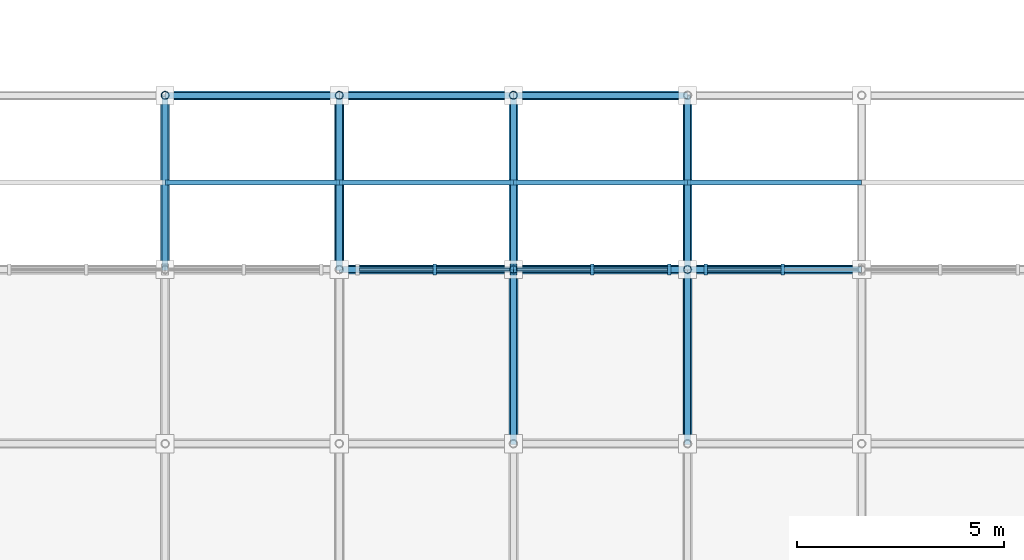
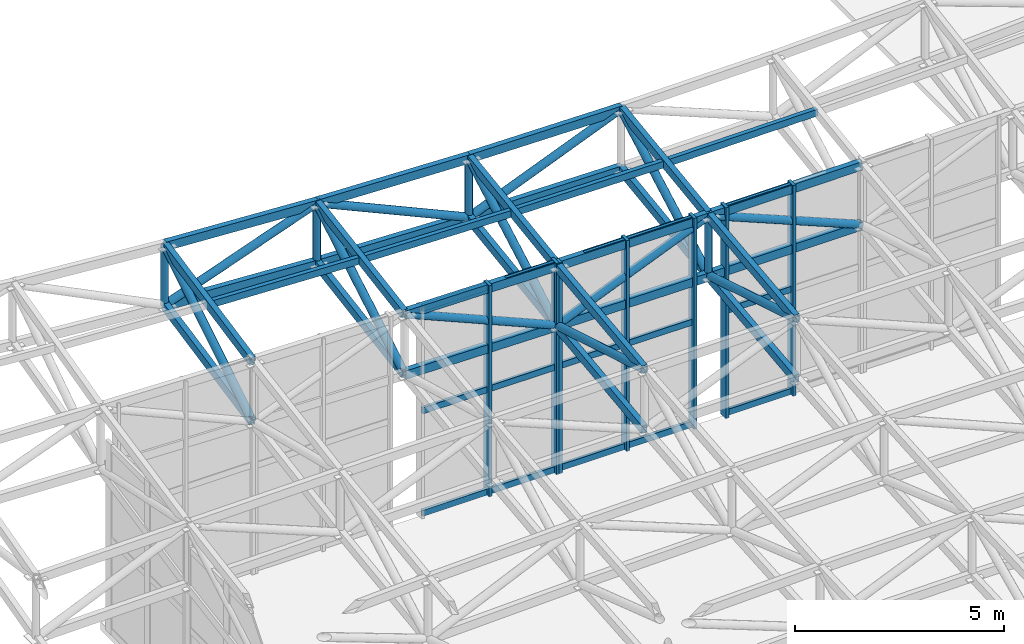
# One storey, part 32 of 132: 67 members, 3 elements without a shape of their own.
"""IFC4 building model written with IfcOpenShell, lengths in metres."""

import ifcopenshell
import ifcopenshell.guid

model = None  # the IFC model being written
_history = None  # IfcOwnerHistory: only IFC2X3 demands one
_inside = {}  # id of a spatial element -> (the spatial element, [elements in it])
_under = {}  # id of a project, library or spatial element -> (it, [spatial elements below it])
_declared = {}  # id of a project -> (the project, [libraries it declares])
_typed = {}  # id of a type object -> (the type object, [elements of that type])
_made_of = {}  # id of a material, layer set ... -> (it, [elements and type objects made of it])


def new_model(schema):
    """Start an empty IFC model of exactly this schema.

    Asked for "IFC4X3", IfcOpenShell would pick the latest addendum, in which some entities
    have other attributes; the version numbers below select the first issue.
    IFC2X3 requires an IfcOwnerHistory on every rooted entity: one is made here for all.
    """
    global model, _history
    if schema == "IFC4X3":
        model = ifcopenshell.file(schema_version=(4, 3, 0, 0))
    else:
        model = ifcopenshell.file(schema=schema)
    _inside.clear()
    _under.clear()
    _declared.clear()
    _typed.clear()
    _made_of.clear()
    _history = None
    if model.schema == "IFC2X3":
        org = make("IfcOrganization", Name="unknown")
        user = make(
            "IfcPersonAndOrganization",
            ThePerson=make("IfcPerson", FamilyName="unknown"),
            TheOrganization=org,
        )
        app = make(
            "IfcApplication",
            ApplicationDeveloper=org,
            Version="unknown",
            ApplicationFullName="unknown",
            ApplicationIdentifier="unknown",
        )
        _history = make(
            "IfcOwnerHistory",
            OwningUser=user,
            OwningApplication=app,
            ChangeAction="ADDED",
            CreationDate=0,
        )
    return model


def make(cls, **values):
    """One entity of the class cls with the attributes given. An attribute that is None is left unset."""
    return model.create_entity(
        cls, **{name: value for name, value in values.items() if value is not None}
    )


def rooted(cls, **values):
    """An entity with a GlobalId (a new one), such as an element, a storey or a relation."""
    return make(cls, GlobalId=ifcopenshell.guid.new(), OwnerHistory=_history, **values)


def si_unit(unit_type, name, prefix=None):
    """IfcSIUnit, for example si_unit("LENGTHUNIT", "METRE", prefix="MILLI")."""
    return make("IfcSIUnit", UnitType=unit_type, Prefix=prefix, Name=name)


def assignment(units):
    """IfcUnitAssignment: the units of a project."""
    return None if units is None else make("IfcUnitAssignment", Units=units)


def point(xyz):
    """IfcCartesianPoint."""
    return None if xyz is None else make("IfcCartesianPoint", Coordinates=xyz)


def direction(xyz):
    """IfcDirection."""
    return None if xyz is None else make("IfcDirection", DirectionRatios=xyz)


def frame(location, z_axis=None, x_axis=None):
    """IfcAxis2Placement3D, a coordinate frame: its origin and axes. An axis left out is left unset."""
    return make(
        "IfcAxis2Placement3D",
        Location=point(location),
        Axis=direction(z_axis),
        RefDirection=direction(x_axis),
    )


def frame_2d(location, x_axis=None):
    """IfcAxis2Placement2D, a coordinate frame in the plane: its origin and x axis."""
    return make(
        "IfcAxis2Placement2D", Location=point(location), RefDirection=direction(x_axis)
    )


def origin():
    """The frame at (0, 0, 0) with its axes left unset."""
    return frame((0.0, 0.0, 0.0))


def origin_2d():
    """The frame at (0, 0) in the plane with its x axis left unset."""
    return frame_2d((0.0, 0.0))


def place(relative_to, where):
    """IfcLocalPlacement: puts the frame where relative to a parent placement (None: the world)."""
    return make(
        "IfcLocalPlacement", PlacementRelTo=relative_to, RelativePlacement=where
    )


def context(
    kind, dimensions, precision=None, world=None, true_north=None, identifier=None
):
    """IfcGeometricRepresentationContext, for example the 3D "Model" context."""
    return make(
        "IfcGeometricRepresentationContext",
        ContextIdentifier=identifier,
        ContextType=kind,
        CoordinateSpaceDimension=dimensions,
        Precision=precision,
        WorldCoordinateSystem=world,
        TrueNorth=true_north,
    )


def subcontext(parent, identifier, kind, view, scale=None):
    """IfcGeometricRepresentationSubContext, for example "Body" below "Model"."""
    return make(
        "IfcGeometricRepresentationSubContext",
        ContextIdentifier=identifier,
        ContextType=kind,
        ParentContext=parent,
        TargetScale=scale,
        TargetView=view,
    )


def project(units=None, contexts=None):
    """IfcProject with its units and contexts."""
    return rooted(
        "IfcProject",
        Name="project",
        RepresentationContexts=contexts,
        UnitsInContext=assignment(units),
    )


def spatial(cls, under=None, at=None, **own):
    """A site, building, storey or space (cls), placed at a placement, below another one or the project."""
    s = rooted(cls, ObjectPlacement=at, **own)
    if under is not None:
        _under.setdefault(under.id(), (under, []))[1].append(s)
    return s


def profile(cls, at=None, kind="AREA", **sizes):
    """A parametric profile (cls). Its sizes go by their IFC names, for example OverallWidth=200.0."""
    return make(cls, ProfileType=kind, Position=at, **sizes)


def rectangle(**sizes):
    """IfcRectangleProfileDef."""
    return profile("IfcRectangleProfileDef", **sizes)


def hollow_rectangle(**sizes):
    """IfcRectangleHollowProfileDef."""
    return profile("IfcRectangleHollowProfileDef", **sizes)


def hollow_circle(**sizes):
    """IfcCircleHollowProfileDef."""
    return profile("IfcCircleHollowProfileDef", **sizes)


def extrude(swept, where, along, depth):
    """IfcExtrudedAreaSolid: the profile swept, set in the frame where, extruded along a direction by depth."""
    return make(
        "IfcExtrudedAreaSolid",
        SweptArea=swept,
        Position=where,
        ExtrudedDirection=direction(along),
        Depth=depth,
    )


def shape(context_of_items, identifier, shape_type, items):
    """IfcShapeRepresentation: the items that make up one representation, for example the "Body"."""
    return make(
        "IfcShapeRepresentation",
        ContextOfItems=context_of_items,
        RepresentationIdentifier=identifier,
        RepresentationType=shape_type,
        Items=items,
    )


def material(Name=None, Category=None):
    """IfcMaterial."""
    return make("IfcMaterial", Name=Name, Category=Category)


def material_profile(
    of_material, cross_section, Name=None, Category=None, Priority=None
):
    """IfcMaterialProfile: a cross section and its material."""
    return make(
        "IfcMaterialProfile",
        Name=Name,
        Material=of_material,
        Profile=cross_section,
        Priority=Priority,
        Category=Category,
    )


def profile_set(profiles, Name=None, composite=None):
    """IfcMaterialProfileSet."""
    return make(
        "IfcMaterialProfileSet",
        Name=Name,
        MaterialProfiles=profiles,
        CompositeProfile=composite,
    )


def made_of(thing, what):
    """Note that an element or type object is made of a material, layer set ...; save() writes the relation."""
    if what is not None:
        _made_of.setdefault(what.id(), (what, []))[1].append(thing)
    return thing


def type_object(cls, material=None, **own):
    """A type object (cls), such as IfcWallType, which elements share."""
    return made_of(rooted(cls, **own), material)


def element(
    cls,
    number,
    at=None,
    inside=None,
    cuts=None,
    type_object=None,
    material=None,
    context=None,
    identifier="Body",
    shape_type=None,
    held_by="IfcProductDefinitionShape",
    body=None,
    shapes=None,
    **own,
):
    """One element of the class cls, such as IfcWall. Its Tag is "e" and its number.

    at: its placement. inside: the storey or other place that contains it. cuts: it is an
    opening in that element (IfcRelVoidsElement). A single representation is given by context,
    identifier, shape_type and body (its items); several are given by shapes. held_by: the class
    of the entity that holds the representations. save() writes the other relations.
    """
    e = rooted(cls, Tag="e%d" % number, ObjectPlacement=at, **own)
    if body is not None:
        shapes = [shape(context, identifier, shape_type, body)]
    if shapes is not None:
        e.Representation = make(held_by, Representations=shapes)
    if inside is not None:
        _inside.setdefault(inside.id(), (inside, []))[1].append(e)
    if cuts is not None:
        rooted(
            "IfcRelVoidsElement", RelatingBuildingElement=cuts, RelatedOpeningElement=e
        )
    if type_object is not None:
        _typed.setdefault(type_object.id(), (type_object, []))[1].append(e)
    return made_of(e, material)


def aggregate(whole, parts):
    """IfcRelAggregates: a whole, such as a stair, and the parts it consists of."""
    return rooted("IfcRelAggregates", RelatingObject=whole, RelatedObjects=parts)


def save(model, path):
    """Write the relations noted so far, then the file.

    IfcRelAggregates (storeys below a building ...), IfcRelContainedInSpatialStructure (elements
    in a storey), IfcRelDefinesByType, IfcRelAssociatesMaterial and IfcRelDeclares: one each for
    every whole, place, type object, material and project.
    """
    for whole, parts in _under.values():
        aggregate(whole, parts)
    for where, things in _inside.values():
        rooted(
            "IfcRelContainedInSpatialStructure",
            RelatedElements=things,
            RelatingStructure=where,
        )
    for kind, things in _typed.values():
        rooted("IfcRelDefinesByType", RelatedObjects=things, RelatingType=kind)
    for what, things in _made_of.values():
        rooted("IfcRelAssociatesMaterial", RelatedObjects=things, RelatingMaterial=what)
    for by, libraries in _declared.values():
        rooted("IfcRelDeclares", RelatingContext=by, RelatedDefinitions=libraries)
    model.write(path)


model = new_model("IFC4")

# Units and contexts
model_context = context("Model", 3, precision=1e-05, world=origin(), true_north=direction((0.0, 1.0)))
body_context = subcontext(model_context, "Body", "Model", "MODEL_VIEW")
ifc_project = project(units=[si_unit("LENGTHUNIT", "METRE"), si_unit("AREAUNIT", "SQUARE_METRE"), si_unit("VOLUMEUNIT", "CUBIC_METRE"), si_unit("PLANEANGLEUNIT", "RADIAN"), si_unit("MASSUNIT", "GRAM", prefix="KILO")], contexts=[model_context])

# Site, building, storey
site_placement = place(None, origin())
site = spatial("IfcSite", under=ifc_project, at=site_placement, CompositionType="ELEMENT")
building_placement = place(site_placement, origin())
building = spatial("IfcBuilding", under=site, at=building_placement, Name="Cumbredor Promenade Congress Hotel", CompositionType="ELEMENT")
storey_placement = place(building_placement, frame((0.0, 0.0, 7.56005859375)))
storey = spatial("IfcBuildingStorey", under=building, at=storey_placement, Name="L02", CompositionType="ELEMENT", Elevation=7.56005859375)

# Curtain wall, members
ifc_material_1 = material(Name="Thermally broken anodized aluminium and low-E glass", Category="aluminium")
curtain_wall_type = type_object("IfcCurtainWallType", Name="Stepped Pavilion Clerestory Curtain Wall CW-06", PredefinedType="NOTDEFINED", material=ifc_material_1)
curtain_wall_1_placement = place(storey_placement, origin())
curtain_wall_1 = element("IfcCurtainWall", 1, at=curtain_wall_1_placement, inside=storey, type_object=curtain_wall_type, Name="Thermal Spa and Hydrotherapy Pavilion N Glazed Clerestory 3", PredefinedType="NOTDEFINED")
ifc_material_2 = material(Name="Thermally broken anodized aluminium", Category="aluminium")
ifc_material_profile_1 = material_profile(ifc_material_2, rectangle(XDim=0.0849609375, YDim=0.260009765625, at=origin_2d()), Name="ALU MULLION CLERESTORY 85x260")
ifc_profile_set_1 = profile_set([ifc_material_profile_1], Name="Thermally broken anodized aluminium")
member_type_1 = type_object("IfcMemberType", Name="Curtain Wall Mullion ML-04", PredefinedType="MULLION", material=ifc_profile_set_1)
member_1_placement = place(storey_placement, frame((86.300048828125, 50.39990234375, -0.01806640625), z_axis=(0.0, 0.0, 1.0), x_axis=(1.0, 0.0, 0.0)))
member_1 = element("IfcMember", 2, at=member_1_placement, type_object=member_type_1, Name="Thermal Spa and Hydrotherapy Pavilion N Glazed Clerestory 3 Mullion 2", PredefinedType="MULLION", context=body_context, shape_type="SweptSolid", body=[
    extrude(rectangle(XDim=0.0849609375, YDim=0.260009765625, at=origin_2d()), origin(), (0.0, 0.0, 1.0), 6.177001953125),
])
member_2_placement = place(storey_placement, frame((88.159912109375, 50.39990234375, -0.01806640625), z_axis=(0.0, 0.0, 1.0), x_axis=(1.0, 0.0, 0.0)))
member_2 = element("IfcMember", 3, at=member_2_placement, type_object=member_type_1, Name="Thermal Spa and Hydrotherapy Pavilion N Glazed Clerestory 3 Mullion 3", PredefinedType="MULLION", context=body_context, shape_type="SweptSolid", body=[
    extrude(rectangle(XDim=0.0849609375, YDim=0.260009765625, at=origin_2d()), origin(), (0.0, 0.0, 1.0), 6.177001953125),
])

curtain_wall_2_placement = place(storey_placement, origin())
curtain_wall_2 = element("IfcCurtainWall", 4, at=curtain_wall_2_placement, inside=storey, type_object=curtain_wall_type, Name="Thermal Spa and Hydrotherapy Pavilion N Glazed Clerestory 4", PredefinedType="NOTDEFINED")
member_3_placement = place(storey_placement, frame((88.239990234375, 50.39990234375, -0.01806640625), z_axis=(0.0, 0.0, 1.0), x_axis=(1.0, 0.0, 0.0)))
member_3 = element("IfcMember", 5, at=member_3_placement, type_object=member_type_1, Name="Thermal Spa and Hydrotherapy Pavilion N Glazed Clerestory 4 Mullion 1", PredefinedType="MULLION", context=body_context, shape_type="SweptSolid", body=[
    extrude(rectangle(XDim=0.0849609375, YDim=0.260009765625, at=origin_2d()), origin(), (0.0, 0.0, 1.0), 6.160400390625),
])
member_4_placement = place(storey_placement, frame((90.10009765625, 50.39990234375, -0.01806640625), z_axis=(0.0, 0.0, 1.0), x_axis=(1.0, 0.0, 0.0)))
member_4 = element("IfcMember", 6, at=member_4_placement, type_object=member_type_1, Name="Thermal Spa and Hydrotherapy Pavilion N Glazed Clerestory 4 Mullion 2", PredefinedType="MULLION", context=body_context, shape_type="SweptSolid", body=[
    extrude(rectangle(XDim=0.0849609375, YDim=0.260009765625, at=origin_2d()), origin(), (0.0, 0.0, 1.0), 6.160400390625),
])
member_5_placement = place(storey_placement, frame((91.9599609375, 50.39990234375, -0.01806640625), z_axis=(0.0, 0.0, 1.0), x_axis=(1.0, 0.0, 0.0)))
member_5 = element("IfcMember", 7, at=member_5_placement, type_object=member_type_1, Name="Thermal Spa and Hydrotherapy Pavilion N Glazed Clerestory 4 Mullion 3", PredefinedType="MULLION", context=body_context, shape_type="SweptSolid", body=[
    extrude(rectangle(XDim=0.0849609375, YDim=0.260009765625, at=origin_2d()), origin(), (0.0, 0.0, 1.0), 6.160400390625),
])

curtain_wall_3_placement = place(storey_placement, origin())
curtain_wall_3 = element("IfcCurtainWall", 8, at=curtain_wall_3_placement, inside=storey, type_object=curtain_wall_type, Name="Thermal Spa and Hydrotherapy Pavilion N Glazed Clerestory 5", PredefinedType="NOTDEFINED")
member_6_placement = place(storey_placement, frame((92.840087890625, 50.39990234375, -0.01806640625), z_axis=(0.0, 0.0, 1.0), x_axis=(1.0, 0.0, 0.0)))
member_6 = element("IfcMember", 9, at=member_6_placement, type_object=member_type_1, Name="Thermal Spa and Hydrotherapy Pavilion N Glazed Clerestory 5 Mullion 1", PredefinedType="MULLION", context=body_context, shape_type="SweptSolid", body=[
    extrude(rectangle(XDim=0.0849609375, YDim=0.260009765625, at=origin_2d()), origin(), (0.0, 0.0, 1.0), 6.160400390625),
])
member_7_placement = place(storey_placement, frame((94.699951171875, 50.39990234375, -0.01806640625), z_axis=(0.0, 0.0, 1.0), x_axis=(1.0, 0.0, 0.0)))
member_7 = element("IfcMember", 10, at=member_7_placement, type_object=member_type_1, Name="Thermal Spa and Hydrotherapy Pavilion N Glazed Clerestory 5 Mullion 2", PredefinedType="MULLION", context=body_context, shape_type="SweptSolid", body=[
    extrude(rectangle(XDim=0.0849609375, YDim=0.260009765625, at=origin_2d()), origin(), (0.0, 0.0, 1.0), 6.160400390625),
])

# Member
ifc_material_profile_2 = material_profile(ifc_material_2, rectangle(XDim=0.080078125, YDim=0.179931640625, at=origin_2d()), Name="ALU TRANSOM 80x180")
ifc_profile_set_2 = profile_set([ifc_material_profile_2], Name="Thermally broken anodized aluminium")
member_type_2 = type_object("IfcMemberType", Name="Curtain Wall Transom TR-03", PredefinedType="USERDEFINED", material=ifc_profile_set_2)
member_8_placement = place(storey_placement, frame((84.482421875, 50.39990234375, 0.079833984375), z_axis=(1.0, 0.0, 0.0), x_axis=(0.0, 1.0, 0.0)))
member_8 = element("IfcMember", 11, at=member_8_placement, type_object=member_type_2, Name="Thermal Spa and Hydrotherapy Pavilion N Glazed Clerestory 3 Transom 1.1", ObjectType="TRANSOM", PredefinedType="USERDEFINED", context=body_context, shape_type="SweptSolid", body=[
    extrude(rectangle(XDim=0.080078125, YDim=0.179931640625, at=origin_2d()), origin(), (0.0, 0.0, 1.0), 1.775146484375),
])

member_9_placement = place(storey_placement, frame((84.482421875, 50.39990234375, 3.06982421875), z_axis=(1.0, 0.0, 0.0), x_axis=(0.0, 1.0, 0.0)))
member_9 = element("IfcMember", 12, at=member_9_placement, type_object=member_type_2, Name="Thermal Spa and Hydrotherapy Pavilion N Glazed Clerestory 3 Transom 1.2", ObjectType="TRANSOM", PredefinedType="USERDEFINED", context=body_context, shape_type="SweptSolid", body=[
    extrude(rectangle(XDim=0.080078125, YDim=0.179931640625, at=origin_2d()), origin(), (0.0, 0.0, 1.0), 1.775146484375),
])

member_10_placement = place(storey_placement, frame((84.482421875, 50.39990234375, 6.06005859375), z_axis=(1.0, 0.0, 0.0), x_axis=(0.0, 1.0, 0.0)))
member_10 = element("IfcMember", 13, at=member_10_placement, type_object=member_type_2, Name="Thermal Spa and Hydrotherapy Pavilion N Glazed Clerestory 3 Transom 1.3", ObjectType="TRANSOM", PredefinedType="USERDEFINED", context=body_context, shape_type="SweptSolid", body=[
    extrude(rectangle(XDim=0.080078125, YDim=0.179931640625, at=origin_2d()), origin(), (0.0, 0.0, 1.0), 1.775146484375),
])

member_11_placement = place(storey_placement, frame((86.342529296875, 50.39990234375, 0.079833984375), z_axis=(1.0, 0.0, 0.0), x_axis=(0.0, 1.0, 0.0)))
member_11 = element("IfcMember", 14, at=member_11_placement, type_object=member_type_2, Name="Thermal Spa and Hydrotherapy Pavilion N Glazed Clerestory 3 Transom 2.1", ObjectType="TRANSOM", PredefinedType="USERDEFINED", context=body_context, shape_type="SweptSolid", body=[
    extrude(rectangle(XDim=0.080078125, YDim=0.179931640625, at=origin_2d()), origin(), (0.0, 0.0, 1.0), 1.77490234375),
])

member_12_placement = place(storey_placement, frame((86.342529296875, 50.39990234375, 3.06982421875), z_axis=(1.0, 0.0, 0.0), x_axis=(0.0, 1.0, 0.0)))
member_12 = element("IfcMember", 15, at=member_12_placement, type_object=member_type_2, Name="Thermal Spa and Hydrotherapy Pavilion N Glazed Clerestory 3 Transom 2.2", ObjectType="TRANSOM", PredefinedType="USERDEFINED", context=body_context, shape_type="SweptSolid", body=[
    extrude(rectangle(XDim=0.080078125, YDim=0.179931640625, at=origin_2d()), origin(), (0.0, 0.0, 1.0), 1.77490234375),
])

member_13_placement = place(storey_placement, frame((86.342529296875, 50.39990234375, 6.06005859375), z_axis=(1.0, 0.0, 0.0), x_axis=(0.0, 1.0, 0.0)))
member_13 = element("IfcMember", 16, at=member_13_placement, type_object=member_type_2, Name="Thermal Spa and Hydrotherapy Pavilion N Glazed Clerestory 3 Transom 2.3", ObjectType="TRANSOM", PredefinedType="USERDEFINED", context=body_context, shape_type="SweptSolid", body=[
    extrude(rectangle(XDim=0.080078125, YDim=0.179931640625, at=origin_2d()), origin(), (0.0, 0.0, 1.0), 1.77490234375),
])

aggregate(curtain_wall_1, [member_1, member_2, member_8, member_9, member_10, member_11, member_12, member_13])

member_14_placement = place(storey_placement, frame((88.282470703125, 50.39990234375, 0.079833984375), z_axis=(1.0, 0.0, 0.0), x_axis=(0.0, 1.0, 0.0)))
member_14 = element("IfcMember", 17, at=member_14_placement, type_object=member_type_2, Name="Thermal Spa and Hydrotherapy Pavilion N Glazed Clerestory 4 Transom 1.1", ObjectType="TRANSOM", PredefinedType="USERDEFINED", context=body_context, shape_type="SweptSolid", body=[
    extrude(rectangle(XDim=0.080078125, YDim=0.179931640625, at=origin_2d()), origin(), (0.0, 0.0, 1.0), 1.775146484375),
])

member_15_placement = place(storey_placement, frame((88.282470703125, 50.39990234375, 3.06005859375), z_axis=(1.0, 0.0, 0.0), x_axis=(0.0, 1.0, 0.0)))
member_15 = element("IfcMember", 18, at=member_15_placement, type_object=member_type_2, Name="Thermal Spa and Hydrotherapy Pavilion N Glazed Clerestory 4 Transom 1.2", ObjectType="TRANSOM", PredefinedType="USERDEFINED", context=body_context, shape_type="SweptSolid", body=[
    extrude(rectangle(XDim=0.080078125, YDim=0.179931640625, at=origin_2d()), origin(), (0.0, 0.0, 1.0), 1.775146484375),
])

member_16_placement = place(storey_placement, frame((88.282470703125, 50.39990234375, 6.0400390625), z_axis=(1.0, 0.0, 0.0), x_axis=(0.0, 1.0, 0.0)))
member_16 = element("IfcMember", 19, at=member_16_placement, type_object=member_type_2, Name="Thermal Spa and Hydrotherapy Pavilion N Glazed Clerestory 4 Transom 1.3", ObjectType="TRANSOM", PredefinedType="USERDEFINED", context=body_context, shape_type="SweptSolid", body=[
    extrude(rectangle(XDim=0.080078125, YDim=0.179931640625, at=origin_2d()), origin(), (0.0, 0.0, 1.0), 1.775146484375),
])

member_17_placement = place(storey_placement, frame((90.142578125, 50.39990234375, 0.079833984375), z_axis=(1.0, 0.0, 0.0), x_axis=(0.0, 1.0, 0.0)))
member_17 = element("IfcMember", 20, at=member_17_placement, type_object=member_type_2, Name="Thermal Spa and Hydrotherapy Pavilion N Glazed Clerestory 4 Transom 2.1", ObjectType="TRANSOM", PredefinedType="USERDEFINED", context=body_context, shape_type="SweptSolid", body=[
    extrude(rectangle(XDim=0.080078125, YDim=0.179931640625, at=origin_2d()), origin(), (0.0, 0.0, 1.0), 1.77490234375),
])

member_18_placement = place(storey_placement, frame((90.142578125, 50.39990234375, 3.06005859375), z_axis=(1.0, 0.0, 0.0), x_axis=(0.0, 1.0, 0.0)))
member_18 = element("IfcMember", 21, at=member_18_placement, type_object=member_type_2, Name="Thermal Spa and Hydrotherapy Pavilion N Glazed Clerestory 4 Transom 2.2", ObjectType="TRANSOM", PredefinedType="USERDEFINED", context=body_context, shape_type="SweptSolid", body=[
    extrude(rectangle(XDim=0.080078125, YDim=0.179931640625, at=origin_2d()), origin(), (0.0, 0.0, 1.0), 1.77490234375),
])

member_19_placement = place(storey_placement, frame((90.142578125, 50.39990234375, 6.0400390625), z_axis=(1.0, 0.0, 0.0), x_axis=(0.0, 1.0, 0.0)))
member_19 = element("IfcMember", 22, at=member_19_placement, type_object=member_type_2, Name="Thermal Spa and Hydrotherapy Pavilion N Glazed Clerestory 4 Transom 2.3", ObjectType="TRANSOM", PredefinedType="USERDEFINED", context=body_context, shape_type="SweptSolid", body=[
    extrude(rectangle(XDim=0.080078125, YDim=0.179931640625, at=origin_2d()), origin(), (0.0, 0.0, 1.0), 1.77490234375),
])

aggregate(curtain_wall_2, [member_3, member_4, member_5, member_14, member_15, member_16, member_17, member_18, member_19])

member_20_placement = place(storey_placement, frame((92.882568359375, 50.39990234375, 0.079833984375), z_axis=(1.0, 0.0, 0.0), x_axis=(0.0, 1.0, 0.0)))
member_20 = element("IfcMember", 23, at=member_20_placement, type_object=member_type_2, Name="Thermal Spa and Hydrotherapy Pavilion N Glazed Clerestory 5 Transom 1.1", ObjectType="TRANSOM", PredefinedType="USERDEFINED", context=body_context, shape_type="SweptSolid", body=[
    extrude(rectangle(XDim=0.080078125, YDim=0.179931640625, at=origin_2d()), origin(), (0.0, 0.0, 1.0), 1.77490234375),
])

member_21_placement = place(storey_placement, frame((92.882568359375, 50.39990234375, 3.06005859375), z_axis=(1.0, 0.0, 0.0), x_axis=(0.0, 1.0, 0.0)))
member_21 = element("IfcMember", 24, at=member_21_placement, type_object=member_type_2, Name="Thermal Spa and Hydrotherapy Pavilion N Glazed Clerestory 5 Transom 1.2", ObjectType="TRANSOM", PredefinedType="USERDEFINED", context=body_context, shape_type="SweptSolid", body=[
    extrude(rectangle(XDim=0.080078125, YDim=0.179931640625, at=origin_2d()), origin(), (0.0, 0.0, 1.0), 1.77490234375),
])

member_22_placement = place(storey_placement, frame((92.882568359375, 50.39990234375, 6.0400390625), z_axis=(1.0, 0.0, 0.0), x_axis=(0.0, 1.0, 0.0)))
member_22 = element("IfcMember", 25, at=member_22_placement, type_object=member_type_2, Name="Thermal Spa and Hydrotherapy Pavilion N Glazed Clerestory 5 Transom 1.3", ObjectType="TRANSOM", PredefinedType="USERDEFINED", context=body_context, shape_type="SweptSolid", body=[
    extrude(rectangle(XDim=0.080078125, YDim=0.179931640625, at=origin_2d()), origin(), (0.0, 0.0, 1.0), 1.77490234375),
])

aggregate(curtain_wall_3, [member_6, member_7, member_20, member_21, member_22])

# Members
ifc_material_3 = material(Name="Steel ASTM A500 Grade C", Category="steel")
ifc_material_profile_3 = material_profile(ifc_material_3, hollow_rectangle(XDim=0.1201171875, YDim=0.199951171875, WallThickness=0.010009765625, at=origin_2d()), Name="HSS 200x120x10")
ifc_profile_set_3 = profile_set([ifc_material_profile_3], Name="Steel ASTM A500 Grade C")
member_type_3 = type_object("IfcMemberType", Name="Roof Purlin HSS200x120", PredefinedType="PURLIN", material=ifc_profile_set_3)
member_23_placement = place(storey_placement, frame((79.800048828125, 52.5, 6.545166015625), z_axis=(0.999267082996, 0.0, -0.038279195936), x_axis=(0.0, 1.0, 0.0)))
element("IfcMember", 26, at=member_23_placement, inside=storey, type_object=member_type_3, Name="Thermal Spa and Hydrotherapy Pavilion Roof Eave Purlin 3.13", PredefinedType="PURLIN", context=body_context, shape_type="SweptSolid", body=[
    extrude(hollow_rectangle(XDim=0.1201171875, YDim=0.199951171875, WallThickness=0.010009765625, at=origin_2d()), origin(), (0.0, 0.0, 1.0), 4.203125),
])
member_24_placement = place(storey_placement, frame((84.0, 52.5, 6.38427734375), z_axis=(0.999735162521, 0.0, -0.023013144472), x_axis=(0.0, 1.0, 0.0)))
element("IfcMember", 27, at=member_24_placement, inside=storey, type_object=member_type_3, Name="Thermal Spa and Hydrotherapy Pavilion Roof Eave Purlin 4.13", PredefinedType="PURLIN", context=body_context, shape_type="SweptSolid", body=[
    extrude(hollow_rectangle(XDim=0.1201171875, YDim=0.199951171875, WallThickness=0.010009765625, at=origin_2d()), origin(), (0.0, 0.0, 1.0), 4.201171875),
])
member_25_placement = place(storey_placement, frame((88.199951171875, 52.5, 6.28759765625), z_axis=(0.999971007522, 0.0, -0.007614730104), x_axis=(0.0, 1.0, 0.0)))
element("IfcMember", 28, at=member_25_placement, inside=storey, type_object=member_type_3, Name="Thermal Spa and Hydrotherapy Pavilion Roof Eave Purlin 5.13", PredefinedType="PURLIN", context=body_context, shape_type="SweptSolid", body=[
    extrude(hollow_rectangle(XDim=0.1201171875, YDim=0.199951171875, WallThickness=0.010009765625, at=origin_2d()), origin(), (0.0, 0.0, 1.0), 4.199951171875),
])
member_26_placement = place(storey_placement, frame((92.39990234375, 52.5, 6.255615234375), z_axis=(0.999971010893, 0.0, 0.007614287516), x_axis=(0.0, 1.0, 0.0)))
element("IfcMember", 29, at=member_26_placement, inside=storey, type_object=member_type_3, Name="Thermal Spa and Hydrotherapy Pavilion Roof Eave Purlin 6.13", PredefinedType="PURLIN", context=body_context, shape_type="SweptSolid", body=[
    extrude(hollow_rectangle(XDim=0.1201171875, YDim=0.199951171875, WallThickness=0.010009765625, at=origin_2d()), origin(), (0.0, 0.0, 1.0), 4.2001953125),
])
ifc_material_profile_4 = material_profile(ifc_material_3, hollow_rectangle(XDim=0.14990234375, YDim=0.25, WallThickness=0.012451171875, at=origin_2d()), Name="HSS 250x150x12.5")
ifc_profile_set_4 = profile_set([ifc_material_profile_4], Name="Steel ASTM A500 Grade C")
member_type_4 = type_object("IfcMemberType", Name="Spa Roof Space Frame Chord", PredefinedType="CHORD", material=ifc_profile_set_4)
for number, where, z_axis, x_axis, name in (
    (30, (84.0, 50.39990234375, 6.058349609375), (0.999928311521, 0.0, -0.011973797138), (0.0, 1.0, 0.0), "Thermal Spa and Hydrotherapy Pavilion X Top Chord 4.13"),
    (31, (84.0, 50.39990234375, 4.308349609375), (0.999928311521, 0.0, -0.011973797138), (0.0, 1.0, 0.0), "Thermal Spa and Hydrotherapy Pavilion X Bottom Chord 4.13"),
):
    element("IfcMember", number, at=place(storey_placement, frame(where, z_axis=z_axis, x_axis=x_axis)), inside=storey, type_object=member_type_4, Name=name, PredefinedType="CHORD", context=body_context, shape_type="SweptSolid", body=[
        extrude(hollow_rectangle(XDim=0.14990234375, YDim=0.25, WallThickness=0.012451171875, at=origin_2d()), origin(), (0.0, 0.0, 1.0), 4.2001953125),
    ])
for number, where, z_axis, x_axis, name in (
    (32, (88.199951171875, 50.39990234375, 6.008056640625), (0.999992187782, 0.0, -0.00395276805), (0.0, 1.0, 0.0), "Thermal Spa and Hydrotherapy Pavilion X Top Chord 5.13"),
    (33, (88.199951171875, 50.39990234375, 4.258056640625), (0.999992187782, 0.0, -0.00395276805), (0.0, 1.0, 0.0), "Thermal Spa and Hydrotherapy Pavilion X Bottom Chord 5.13"),
):
    element("IfcMember", number, at=place(storey_placement, frame(where, z_axis=z_axis, x_axis=x_axis)), inside=storey, type_object=member_type_4, Name=name, PredefinedType="CHORD", context=body_context, shape_type="SweptSolid", body=[
        extrude(hollow_rectangle(XDim=0.14990234375, YDim=0.25, WallThickness=0.012451171875, at=origin_2d()), origin(), (0.0, 0.0, 1.0), 4.199951171875),
    ])
for number, where, z_axis, x_axis, name in (
    (34, (92.39990234375, 50.39990234375, 5.991455078125), (0.99999218869, 0.0, 0.003952538295), (0.0, 1.0, 0.0), "Thermal Spa and Hydrotherapy Pavilion X Top Chord 6.13"),
    (35, (92.39990234375, 50.39990234375, 4.241455078125), (0.99999218869, 0.0, 0.003952538295), (0.0, 1.0, 0.0), "Thermal Spa and Hydrotherapy Pavilion X Bottom Chord 6.13"),
):
    element("IfcMember", number, at=place(storey_placement, frame(where, z_axis=z_axis, x_axis=x_axis)), inside=storey, type_object=member_type_4, Name=name, PredefinedType="CHORD", context=body_context, shape_type="SweptSolid", body=[
        extrude(hollow_rectangle(XDim=0.14990234375, YDim=0.25, WallThickness=0.012451171875, at=origin_2d()), origin(), (0.0, 0.0, 1.0), 4.2001953125),
    ])
for number, where, z_axis, x_axis, name in (
    (36, (79.800048828125, 54.60009765625, 6.98828125), (0.998397765356, 0.0, -0.056585352626), (0.0, 1.0, 0.0), "Thermal Spa and Hydrotherapy Pavilion X Top Chord 3.14"),
    (37, (79.800048828125, 54.60009765625, 5.23828125), (0.998397765356, 0.0, -0.056585352626), (0.0, 1.0, 0.0), "Thermal Spa and Hydrotherapy Pavilion X Bottom Chord 3.14"),
):
    element("IfcMember", number, at=place(storey_placement, frame(where, z_axis=z_axis, x_axis=x_axis)), inside=storey, type_object=member_type_4, Name=name, PredefinedType="CHORD", context=body_context, shape_type="SweptSolid", body=[
        extrude(hollow_rectangle(XDim=0.14990234375, YDim=0.25, WallThickness=0.012451171875, at=origin_2d()), origin(), (0.0, 0.0, 1.0), 4.206787109375),
    ])
for number, where, z_axis, x_axis, name in (
    (38, (84.0, 54.60009765625, 6.750244140625), (0.999422307276, 0.0, -0.033986051837), (0.0, 1.0, 0.0), "Thermal Spa and Hydrotherapy Pavilion X Top Chord 4.14"),
    (39, (84.0, 54.60009765625, 5.000244140625), (0.999422307276, 0.0, -0.033986051837), (0.0, 1.0, 0.0), "Thermal Spa and Hydrotherapy Pavilion X Bottom Chord 4.14"),
):
    element("IfcMember", number, at=place(storey_placement, frame(where, z_axis=z_axis, x_axis=x_axis)), inside=storey, type_object=member_type_4, Name=name, PredefinedType="CHORD", context=body_context, shape_type="SweptSolid", body=[
        extrude(hollow_rectangle(XDim=0.14990234375, YDim=0.25, WallThickness=0.012451171875, at=origin_2d()), origin(), (0.0, 0.0, 1.0), 4.202392578125),
    ])
for number, where, z_axis, x_axis, name in (
    (40, (88.199951171875, 54.60009765625, 6.607421875), (0.999935762445, 0.0, -0.011334504079), (0.0, 1.0, 0.0), "Thermal Spa and Hydrotherapy Pavilion X Top Chord 5.14"),
    (41, (88.199951171875, 54.60009765625, 4.857421875), (0.999935762445, 0.0, -0.011334504079), (0.0, 1.0, 0.0), "Thermal Spa and Hydrotherapy Pavilion X Bottom Chord 5.14"),
):
    element("IfcMember", number, at=place(storey_placement, frame(where, z_axis=z_axis, x_axis=x_axis)), inside=storey, type_object=member_type_4, Name=name, PredefinedType="CHORD", context=body_context, shape_type="SweptSolid", body=[
        extrude(hollow_rectangle(XDim=0.14990234375, YDim=0.25, WallThickness=0.012451171875, at=origin_2d()), origin(), (0.0, 0.0, 1.0), 4.2001953125),
    ])
for number, where, z_axis, x_axis, name in (
    (42, (79.800048828125, 50.39990234375, 6.14208984375), (0.0, 0.980303564272, 0.197496637629), (-1.0, 0.0, 0.0), "Thermal Spa and Hydrotherapy Pavilion Y Top Chord 3.13"),
    (43, (79.800048828125, 50.39990234375, 4.39208984375), (0.0, 0.980303564272, 0.197496637629), (-1.0, 0.0, 0.0), "Thermal Spa and Hydrotherapy Pavilion Y Bottom Chord 3.13"),
):
    element("IfcMember", number, at=place(storey_placement, frame(where, z_axis=z_axis, x_axis=x_axis)), inside=storey, type_object=member_type_4, Name=name, PredefinedType="CHORD", context=body_context, shape_type="SweptSolid", body=[
        extrude(hollow_rectangle(XDim=0.14990234375, YDim=0.25, WallThickness=0.012451171875, at=origin_2d()), origin(), (0.0, 0.0, 1.0), 4.28466796875),
    ])
for number, where, z_axis, x_axis, name in (
    (44, (84.0, 50.39990234375, 6.058349609375), (0.0, 0.986702186568, 0.162538595486), (-1.0, 0.0, 0.0), "Thermal Spa and Hydrotherapy Pavilion Y Top Chord 4.13"),
    (45, (84.0, 50.39990234375, 4.308349609375), (0.0, 0.986702186568, 0.162538595486), (-1.0, 0.0, 0.0), "Thermal Spa and Hydrotherapy Pavilion Y Bottom Chord 4.13"),
):
    element("IfcMember", number, at=place(storey_placement, frame(where, z_axis=z_axis, x_axis=x_axis)), inside=storey, type_object=member_type_4, Name=name, PredefinedType="CHORD", context=body_context, shape_type="SweptSolid", body=[
        extrude(hollow_rectangle(XDim=0.14990234375, YDim=0.25, WallThickness=0.012451171875, at=origin_2d()), origin(), (0.0, 0.0, 1.0), 4.2568359375),
    ])
for number, where, z_axis, x_axis, name in (
    (46, (88.199951171875, 46.199951171875, 5.510009765625), (0.0, 0.993042216965, 0.117758886392), (-1.0, 0.0, 0.0), "Thermal Spa and Hydrotherapy Pavilion Y Top Chord 5.12"),
    (47, (88.199951171875, 46.199951171875, 3.760009765625), (0.0, 0.993042216965, 0.117758886392), (-1.0, 0.0, 0.0), "Thermal Spa and Hydrotherapy Pavilion Y Bottom Chord 5.12"),
):
    element("IfcMember", number, at=place(storey_placement, frame(where, z_axis=z_axis, x_axis=x_axis)), inside=storey, type_object=member_type_4, Name=name, PredefinedType="CHORD", context=body_context, shape_type="SweptSolid", body=[
        extrude(hollow_rectangle(XDim=0.14990234375, YDim=0.25, WallThickness=0.012451171875, at=origin_2d()), origin(), (0.0, 0.0, 1.0), 4.2294921875),
    ])
for number, where, z_axis, x_axis, name in (
    (48, (88.199951171875, 50.39990234375, 6.008056640625), (0.0, 0.989971348203, 0.141268289923), (-1.0, 0.0, 0.0), "Thermal Spa and Hydrotherapy Pavilion Y Top Chord 5.13"),
    (49, (88.199951171875, 50.39990234375, 4.258056640625), (0.0, 0.989971348203, 0.141268289923), (-1.0, 0.0, 0.0), "Thermal Spa and Hydrotherapy Pavilion Y Bottom Chord 5.13"),
):
    element("IfcMember", number, at=place(storey_placement, frame(where, z_axis=z_axis, x_axis=x_axis)), inside=storey, type_object=member_type_4, Name=name, PredefinedType="CHORD", context=body_context, shape_type="SweptSolid", body=[
        extrude(hollow_rectangle(XDim=0.14990234375, YDim=0.25, WallThickness=0.012451171875, at=origin_2d()), origin(), (0.0, 0.0, 1.0), 4.24267578125),
    ])
for number, where, z_axis, x_axis, name in (
    (50, (92.39990234375, 46.199951171875, 5.518798828125), (0.0, 0.993727063969, 0.111832563846), (-1.0, 0.0, 0.0), "Thermal Spa and Hydrotherapy Pavilion Y Top Chord 6.12"),
    (51, (92.39990234375, 46.199951171875, 3.768798828125), (0.0, 0.993727063969, 0.111832563846), (-1.0, 0.0, 0.0), "Thermal Spa and Hydrotherapy Pavilion Y Bottom Chord 6.12"),
):
    element("IfcMember", number, at=place(storey_placement, frame(where, z_axis=z_axis, x_axis=x_axis)), inside=storey, type_object=member_type_4, Name=name, PredefinedType="CHORD", context=body_context, shape_type="SweptSolid", body=[
        extrude(hollow_rectangle(XDim=0.14990234375, YDim=0.25, WallThickness=0.012451171875, at=origin_2d()), origin(), (0.0, 0.0, 1.0), 4.2265625),
    ])
for number, where, z_axis, x_axis, name in (
    (52, (92.39990234375, 50.39990234375, 5.991455078125), (0.0, 0.990968448538, 0.134095242281), (-1.0, 0.0, 0.0), "Thermal Spa and Hydrotherapy Pavilion Y Top Chord 6.13"),
    (53, (92.39990234375, 50.39990234375, 4.241455078125), (0.0, 0.990968448538, 0.134095242281), (-1.0, 0.0, 0.0), "Thermal Spa and Hydrotherapy Pavilion Y Bottom Chord 6.13"),
):
    element("IfcMember", number, at=place(storey_placement, frame(where, z_axis=z_axis, x_axis=x_axis)), inside=storey, type_object=member_type_4, Name=name, PredefinedType="CHORD", context=body_context, shape_type="SweptSolid", body=[
        extrude(hollow_rectangle(XDim=0.14990234375, YDim=0.25, WallThickness=0.012451171875, at=origin_2d()), origin(), (0.0, 0.0, 1.0), 4.238525390625),
    ])
ifc_material_profile_5 = material_profile(ifc_material_3, hollow_circle(Radius=0.109619140625, WallThickness=0.012451171875, at=origin_2d()), Name="CHS 219.1x12.5")
ifc_profile_set_5 = profile_set([ifc_material_profile_5], Name="Steel ASTM A500 Grade C")
member_type_5 = type_object("IfcMemberType", Name="Space Frame Web Diagonal D1", PredefinedType="BRACE", material=ifc_profile_set_5)
member_27_placement = place(storey_placement, frame((84.0, 50.39990234375, 6.058349609375), z_axis=(0.919120156578, 0.0, -0.393977331547), x_axis=(0.0, 1.0, 0.0)))
element("IfcMember", 54, at=member_27_placement, inside=storey, type_object=member_type_5, Name="Thermal Spa and Hydrotherapy Pavilion X Web Diagonal 4.13", PredefinedType="BRACE", context=body_context, shape_type="SweptSolid", body=[
    extrude(hollow_circle(Radius=0.109619140625, WallThickness=0.012451171875, at=origin_2d()), origin(), (0.0, 0.0, 1.0), 4.569580078125),
])
for number, where, z_axis, x_axis, name in (
    (55, (88.199951171875, 50.39990234375, 4.258056640625), (0.924367316555, 0.0, 0.381503688167), (0.0, 1.0, 0.0), "Thermal Spa and Hydrotherapy Pavilion X Web Diagonal 5.13"),
    (56, (92.39990234375, 50.39990234375, 5.991455078125), (0.924375136533, 0.0, -0.381484740141), (0.0, 1.0, 0.0), "Thermal Spa and Hydrotherapy Pavilion X Web Diagonal 6.13"),
):
    element("IfcMember", number, at=place(storey_placement, frame(where, z_axis=z_axis, x_axis=x_axis)), inside=storey, type_object=member_type_5, Name=name, PredefinedType="BRACE", context=body_context, shape_type="SweptSolid", body=[
        extrude(hollow_circle(Radius=0.109619140625, WallThickness=0.012451171875, at=origin_2d()), origin(), (0.0, 0.0, 1.0), 4.543701171875),
    ])
member_28_placement = place(storey_placement, frame((79.800048828125, 54.60009765625, 5.23828125), z_axis=(0.940888806307, 0.0, 0.338715594807), x_axis=(0.0, 1.0, 0.0)))
element("IfcMember", 57, at=member_28_placement, inside=storey, type_object=member_type_5, Name="Thermal Spa and Hydrotherapy Pavilion X Web Diagonal 3.14", PredefinedType="BRACE", context=body_context, shape_type="SweptSolid", body=[
    extrude(hollow_circle(Radius=0.109619140625, WallThickness=0.012451171875, at=origin_2d()), origin(), (0.0, 0.0, 1.0), 4.4638671875),
])
member_29_placement = place(storey_placement, frame((84.0, 54.60009765625, 6.750244140625), z_axis=(0.911690315674, 0.0, -0.41087804554), x_axis=(0.0, 1.0, 0.0)))
element("IfcMember", 58, at=member_29_placement, inside=storey, type_object=member_type_5, Name="Thermal Spa and Hydrotherapy Pavilion X Web Diagonal 4.14", PredefinedType="BRACE", context=body_context, shape_type="SweptSolid", body=[
    extrude(hollow_circle(Radius=0.109619140625, WallThickness=0.012451171875, at=origin_2d()), origin(), (0.0, 0.0, 1.0), 4.606689453125),
])
member_30_placement = place(storey_placement, frame((88.199951171875, 54.60009765625, 4.857421875), z_axis=(0.926761572474, 0.0, 0.375650086896), x_axis=(0.0, 1.0, 0.0)))
element("IfcMember", 59, at=member_30_placement, inside=storey, type_object=member_type_5, Name="Thermal Spa and Hydrotherapy Pavilion X Web Diagonal 5.14", PredefinedType="BRACE", context=body_context, shape_type="SweptSolid", body=[
    extrude(hollow_circle(Radius=0.109619140625, WallThickness=0.012451171875, at=origin_2d()), origin(), (0.0, 0.0, 1.0), 4.53173828125),
])
member_31_placement = place(storey_placement, frame((79.800048828125, 50.39990234375, 4.39208984375), z_axis=(0.0, 0.850621105315, 0.525779169607), x_axis=(-1.0, 0.0, 0.0)))
element("IfcMember", 60, at=member_31_placement, inside=storey, type_object=member_type_5, Name="Thermal Spa and Hydrotherapy Pavilion Y Web Diagonal 3.13", PredefinedType="BRACE", context=body_context, shape_type="SweptSolid", body=[
    extrude(hollow_circle(Radius=0.109619140625, WallThickness=0.012451171875, at=origin_2d()), origin(), (0.0, 0.0, 1.0), 4.937744140625),
])
member_32_placement = place(storey_placement, frame((84.0, 50.39990234375, 4.308349609375), z_axis=(0.0, 0.86451429564, 0.502608229772), x_axis=(-1.0, 0.0, 0.0)))
element("IfcMember", 61, at=member_32_placement, inside=storey, type_object=member_type_5, Name="Thermal Spa and Hydrotherapy Pavilion Y Web Diagonal 4.13", PredefinedType="BRACE", context=body_context, shape_type="SweptSolid", body=[
    extrude(hollow_circle(Radius=0.109619140625, WallThickness=0.012451171875, at=origin_2d()), origin(), (0.0, 0.0, 1.0), 4.8583984375),
])
member_33_placement = place(storey_placement, frame((88.199951171875, 46.199951171875, 5.510009765625), z_axis=(0.0, 0.958329239712, -0.285666008327), x_axis=(-1.0, 0.0, 0.0)))
element("IfcMember", 62, at=member_33_placement, inside=storey, type_object=member_type_5, Name="Thermal Spa and Hydrotherapy Pavilion Y Web Diagonal 5.12", PredefinedType="BRACE", context=body_context, shape_type="SweptSolid", body=[
    extrude(hollow_circle(Radius=0.109619140625, WallThickness=0.012451171875, at=origin_2d()), origin(), (0.0, 0.0, 1.0), 4.382568359375),
])
member_34_placement = place(storey_placement, frame((88.199951171875, 50.39990234375, 4.258056640625), z_axis=(0.0, 0.872748989032, 0.488169235146), x_axis=(-1.0, 0.0, 0.0)))
element("IfcMember", 63, at=member_34_placement, inside=storey, type_object=member_type_5, Name="Thermal Spa and Hydrotherapy Pavilion Y Web Diagonal 5.13", PredefinedType="BRACE", context=body_context, shape_type="SweptSolid", body=[
    extrude(hollow_circle(Radius=0.109619140625, WallThickness=0.012451171875, at=origin_2d()), origin(), (0.0, 0.0, 1.0), 4.8125),
])
member_35_placement = place(storey_placement, frame((92.39990234375, 46.199951171875, 5.518798828125), z_axis=(0.0, 0.956731111849, -0.290973503296), x_axis=(-1.0, 0.0, 0.0)))
element("IfcMember", 64, at=member_35_placement, inside=storey, type_object=member_type_5, Name="Thermal Spa and Hydrotherapy Pavilion Y Web Diagonal 6.12", PredefinedType="BRACE", context=body_context, shape_type="SweptSolid", body=[
    extrude(hollow_circle(Radius=0.109619140625, WallThickness=0.012451171875, at=origin_2d()), origin(), (0.0, 0.0, 1.0), 4.389892578125),
])
member_36_placement = place(storey_placement, frame((92.39990234375, 50.39990234375, 4.241455078125), z_axis=(0.0, 0.875488602383, 0.483238768207), x_axis=(-1.0, 0.0, 0.0)))
element("IfcMember", 65, at=member_36_placement, inside=storey, type_object=member_type_5, Name="Thermal Spa and Hydrotherapy Pavilion Y Web Diagonal 6.13", PredefinedType="BRACE", context=body_context, shape_type="SweptSolid", body=[
    extrude(hollow_circle(Radius=0.109619140625, WallThickness=0.012451171875, at=origin_2d()), origin(), (0.0, 0.0, 1.0), 4.797607421875),
])
ifc_material_profile_6 = material_profile(ifc_material_3, hollow_circle(Radius=0.096923828125, WallThickness=0.010009765625, at=origin_2d()), Name="CHS 193.7x10")
ifc_profile_set_6 = profile_set([ifc_material_profile_6], Name="Steel ASTM A500 Grade C")
member_type_6 = type_object("IfcMemberType", Name="Space Frame Web Post P1", PredefinedType="BRACE", material=ifc_profile_set_6)
for number, where, z_axis, x_axis, name in (
    (66, (79.800048828125, 54.60009765625, 5.23828125), (0.0, 0.0, 1.0), (1.0, 0.0, 0.0), "Thermal Spa and Hydrotherapy Pavilion Space Frame Web Post 3.14"),
    (67, (84.0, 54.60009765625, 5.000244140625), (0.0, 0.0, 1.0), (1.0, 0.0, 0.0), "Thermal Spa and Hydrotherapy Pavilion Space Frame Web Post 4.14"),
    (68, (88.199951171875, 50.39990234375, 4.258056640625), (0.0, 0.0, 1.0), (1.0, 0.0, 0.0), "Thermal Spa and Hydrotherapy Pavilion Space Frame Web Post 5.13"),
    (69, (88.199951171875, 54.60009765625, 4.857421875), (0.0, 0.0, 1.0), (1.0, 0.0, 0.0), "Thermal Spa and Hydrotherapy Pavilion Space Frame Web Post 5.14"),
    (70, (92.39990234375, 50.39990234375, 4.241455078125), (0.0, 0.0, 1.0), (1.0, 0.0, 0.0), "Thermal Spa and Hydrotherapy Pavilion Space Frame Web Post 6.13"),
):
    element("IfcMember", number, at=place(storey_placement, frame(where, z_axis=z_axis, x_axis=x_axis)), inside=storey, type_object=member_type_6, Name=name, PredefinedType="BRACE", context=body_context, shape_type="SweptSolid", body=[
        extrude(hollow_circle(Radius=0.096923828125, WallThickness=0.010009765625, at=origin_2d()), origin(), (0.0, 0.0, 1.0), 1.75),
    ])

save(model, "model.ifc")
